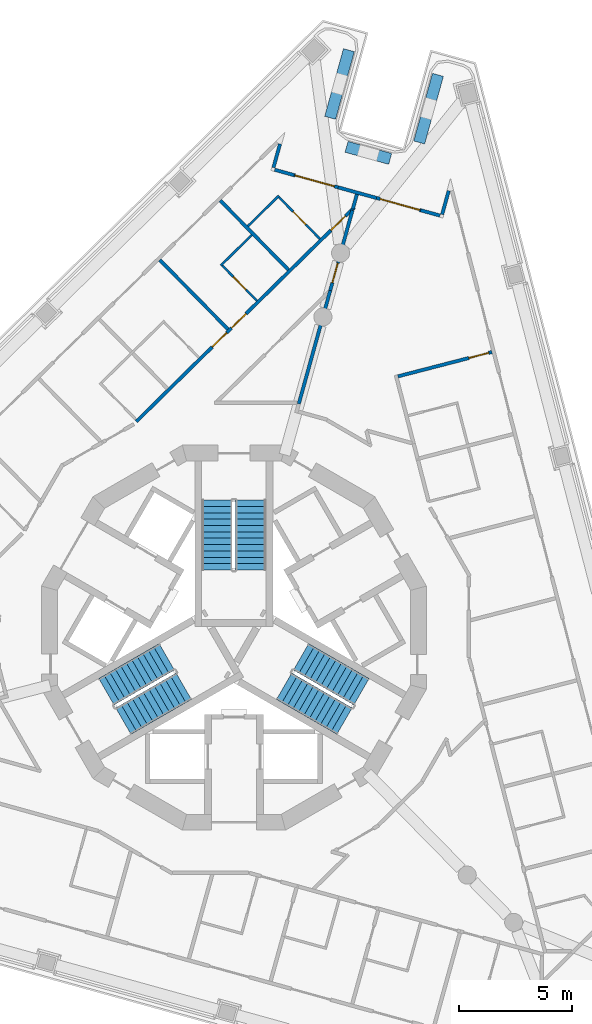
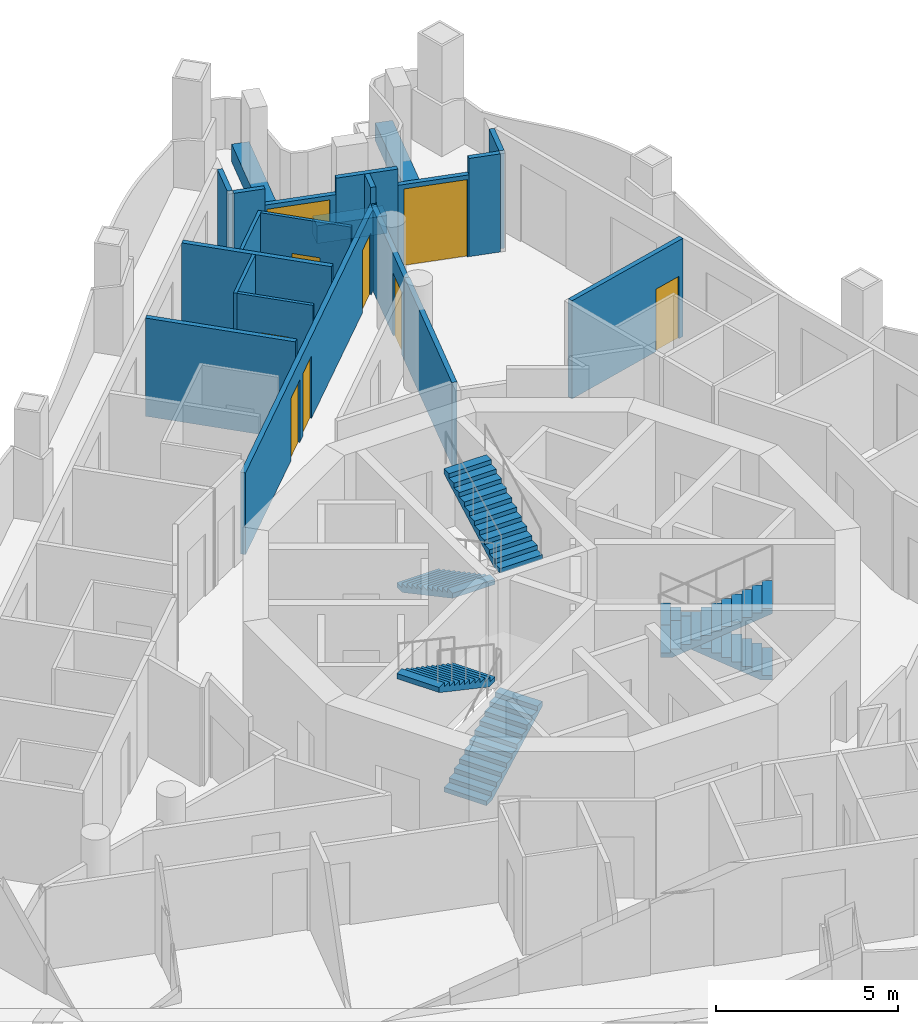
# One storey, part 8 of 14: 21 walls, 9 doors, 6 stair flights, 9 openings, 3 elements without a shape of their own.
"""IFC4 building model written with IfcOpenShell, lengths in metres."""

from ifc_helpers import new_model, si_unit, direction, frame, frame_2d, origin, place, context, subcontext, project, spatial, polyline, rectangle, outline, extrude, material, layer, layer_set, type_object, element, fill, aggregate, save


model = new_model("IFC4")

# Units and contexts
model_context = context("Model", 3, precision=1e-05, world=origin(), true_north=direction((0.0, 1.0)))
body_context = subcontext(model_context, "Body", "Model", "MODEL_VIEW")
ifc_project = project(units=[si_unit("LENGTHUNIT", "METRE"), si_unit("AREAUNIT", "SQUARE_METRE"), si_unit("VOLUMEUNIT", "CUBIC_METRE"), si_unit("PLANEANGLEUNIT", "RADIAN"), si_unit("MASSUNIT", "GRAM", prefix="KILO")], contexts=[model_context])

# Site, building, storey
site_placement = place(None, origin())
site = spatial("IfcSite", under=ifc_project, at=site_placement, CompositionType="ELEMENT")
building_placement = place(site_placement, origin())
building = spatial("IfcBuilding", under=site, at=building_placement, Name="Trine Commons Tower", CompositionType="ELEMENT")
storey_placement = place(building_placement, frame((0.0, 0.0, 238.5)))
storey = spatial("IfcBuildingStorey", under=building, at=storey_placement, Name="L62", CompositionType="ELEMENT", Elevation=238.5)

# Walls
ifc_material_1 = material(Name="Aluminium-framed insulated wall panel", Category="aluminium")
ifc_layer_1 = layer(ifc_material_1, 0.14990234375)
ifc_layer_set_1 = layer_set([ifc_layer_1], Name="Aluminium-framed insulated wall panel")
wall_type_1 = type_object("IfcWallType", Name="Glazed frame wall 150, EI 60", PredefinedType="SOLIDWALL", material=ifc_layer_set_1)
wall_1_placement = place(storey_placement, frame((82.07470703125, 84.444091796875, 0.0), z_axis=(0.0, 0.0, 1.0), x_axis=(-0.267185113528, -0.963645222636, 0.0)))
element("IfcWall", 1, at=wall_1_placement, inside=storey, type_object=wall_type_1, Name="Glazed frame wall R2", PredefinedType="SOLIDWALL", context=body_context, shape_type="SweptSolid", body=[
    extrude(outline(polyline([(0.1494140625, 0.074951171875), (0.1494140625, -0.074951171875), (1.235107421875, -0.074951171875), (1.235107421875, 0.074951171875), (0.1494140625, 0.074951171875)])), origin(), (0.0, 0.0, 1.0), 3.300048828125),
])
wall_2_placement = place(storey_placement, frame((81.69091796875, 83.19091796875, 0.0), z_axis=(0.0, 0.0, 1.0), x_axis=(0.963668166343, -0.267102349627, 0.0)))
element("IfcWall", 2, at=wall_2_placement, inside=storey, type_object=wall_type_1, Name="Glazed frame wall P1.1", PredefinedType="SOLIDWALL", context=body_context, shape_type="SweptSolid", body=[
    extrude(outline(polyline([(0.110107421875, -0.074951171875), (1.0, -0.074951171875), (1.0, 0.074951171875), (0.110107421875, 0.074951171875), (0.110107421875, -0.074951171875)])), origin(), (0.0, 0.0, 1.0), 3.300048828125),
])

# Wall, opening, door
wall_3_placement = place(storey_placement, frame((82.654541015625, 82.923828125, 0.0), z_axis=(0.0, 0.0, 1.0), x_axis=(0.963623378646, -0.267263884816, 0.0)))
wall_3 = element("IfcWall", 3, at=wall_3_placement, inside=storey, type_object=wall_type_1, Name="Glazed frame wall P1.2", PredefinedType="SOLIDWALL", context=body_context, shape_type="SweptSolid", body=[
    extrude(outline(polyline([(0.0, -0.074951171875), (2.021484375, -0.074951171875), (2.021484375, 0.074951171875), (0.0, 0.074951171875), (0.0, -0.074951171875)])), origin(), (0.0, 0.0, 1.0), 2.75),
])
opening_1_placement = place(wall_3_placement, frame((0.050048828125, 0.0, 0.0)))
opening_1 = element("IfcOpeningElement", 4, at=opening_1_placement, cuts=wall_3, Name="Opening BD-7P1-01", PredefinedType="OPENING", context=body_context, shape_type="SweptSolid", body=[
    extrude(rectangle(XDim=1.800048828125, YDim=2.60009765625, at=frame_2d((0.89990234375, 1.300048828125))), frame((0.0, 0.0849609375, 0.0), z_axis=(0.0, -1.0, 0.0), x_axis=(1.0, 0.0, 0.0)), (0.0, 0.0, 1.0), 0.169921875),
])
ifc_material_2 = material(Name="Anodised aluminium frame with double glazing", Category="aluminium")
door_type_1 = type_object("IfcDoorType", Name="Sliding loggia door 1800x2600", OperationType="SLIDING_TO_LEFT", PredefinedType="DOOR", material=ifc_material_2)
door_1_placement = place(opening_1_placement, origin())
door_1 = element("IfcDoor", 5, at=door_1_placement, inside=storey, type_object=door_type_1, Name="Loggia door P1 1", OperationType="SLIDING_TO_LEFT", OverallHeight=2.60009765625, OverallWidth=1.800048828125, PredefinedType="DOOR", context=body_context, shape_type="SweptSolid", body=[
    extrude(rectangle(XDim=1.800048828125, YDim=2.60009765625, at=frame_2d((0.89990234375, 1.300048828125))), frame((0.0, 0.02490234375, 0.0), z_axis=(0.0, -1.0, 0.0), x_axis=(1.0, 0.0, 0.0)), (0.0, 0.0, 1.0), 0.050048828125),
])
fill(opening_1, door_1)

# Wall
wall_4_placement = place(storey_placement, frame((84.6025390625, 82.383544921875, 0.0), z_axis=(0.0, 0.0, 1.0), x_axis=(0.963649164221, -0.267170897174, 0.0)))
element("IfcWall", 6, at=wall_4_placement, inside=storey, type_object=wall_type_1, Name="Glazed frame wall P1.3", PredefinedType="SOLIDWALL", context=body_context, shape_type="SweptSolid", body=[
    extrude(outline(polyline([(0.0, -0.074951171875), (1.757080078125, -0.074951171875), (1.757080078125, 0.074951171875), (0.0, 0.074951171875), (0.0, -0.074951171875)])), origin(), (0.0, 0.0, 1.0), 3.300048828125),
])

# Wall, opening, door
wall_5_placement = place(storey_placement, frame((86.2958984375, 81.9140625, 0.0), z_axis=(0.0, 0.0, 1.0), x_axis=(0.963614750545, -0.267294991596, 0.0)))
wall_5 = element("IfcWall", 7, at=wall_5_placement, inside=storey, type_object=wall_type_1, Name="Glazed frame wall P1.4", PredefinedType="SOLIDWALL", context=body_context, shape_type="SweptSolid", body=[
    extrude(outline(polyline([(0.0, -0.074951171875), (2.021484375, -0.074951171875), (2.021484375, 0.074951171875), (0.0, 0.074951171875), (0.0, -0.074951171875)])), origin(), (0.0, 0.0, 1.0), 2.75),
])
opening_2_placement = place(wall_5_placement, frame((0.17138671875, 0.0, 0.0)))
opening_2 = element("IfcOpeningElement", 8, at=opening_2_placement, cuts=wall_5, Name="Opening BD-7P1-02", PredefinedType="OPENING", context=body_context, shape_type="SweptSolid", body=[
    extrude(rectangle(XDim=1.800048828125, YDim=2.60009765625, at=frame_2d((0.89990234375, 1.300048828125))), frame((0.0, 0.0849609375, 0.0), z_axis=(0.0, -1.0, 0.0), x_axis=(1.0, 0.0, 0.0)), (0.0, 0.0, 1.0), 0.169921875),
])
door_2_placement = place(opening_2_placement, origin())
door_2 = element("IfcDoor", 9, at=door_2_placement, inside=storey, type_object=door_type_1, Name="Loggia door P1 2", OperationType="SLIDING_TO_LEFT", OverallHeight=2.60009765625, OverallWidth=1.800048828125, PredefinedType="DOOR", context=body_context, shape_type="SweptSolid", body=[
    extrude(rectangle(XDim=1.800048828125, YDim=2.60009765625, at=frame_2d((0.89990234375, 1.300048828125))), frame((0.0, 0.02490234375, 0.0), z_axis=(0.0, -1.0, 0.0), x_axis=(1.0, 0.0, 0.0)), (0.0, 0.0, 1.0), 0.050048828125),
])
fill(opening_2, door_2)

# Walls
wall_6_placement = place(storey_placement, frame((88.24365234375, 81.373779296875, 0.0), z_axis=(0.0, 0.0, 1.0), x_axis=(0.963668166343, -0.267102349627, 0.0)))
element("IfcWall", 10, at=wall_6_placement, inside=storey, type_object=wall_type_1, Name="Glazed frame wall P1.5", PredefinedType="SOLIDWALL", context=body_context, shape_type="SweptSolid", body=[
    extrude(outline(polyline([(0.889892578125, 0.074951171875), (0.0, 0.074951171875), (0.0, -0.074951171875), (0.889892578125, -0.074951171875), (0.889892578125, 0.074951171875)])), origin(), (0.0, 0.0, 1.0), 3.300048828125),
])
wall_7_placement = place(storey_placement, frame((89.164306640625, 81.082275390625, 0.0), z_axis=(0.0, 0.0, 1.0), x_axis=(0.267185113528, 0.963645222636, 0.0)))
element("IfcWall", 11, at=wall_7_placement, inside=storey, type_object=wall_type_1, Name="Glazed frame wall R4", PredefinedType="SOLIDWALL", context=body_context, shape_type="SweptSolid", body=[
    extrude(outline(polyline([(0.110107421875, 0.074951171875), (0.110107421875, -0.074951171875), (1.19580078125, -0.074951171875), (1.19580078125, 0.074951171875), (0.110107421875, 0.074951171875)])), origin(), (0.0, 0.0, 1.0), 3.300048828125),
])
ifc_material_3 = material(Name="Planter trough, precast concrete C40/50", Category="concrete")
ifc_layer_2 = layer(ifc_material_3, 0.5)
ifc_layer_set_2 = layer_set([ifc_layer_2], Name="Planter trough, precast concrete C40/50")
wall_type_2 = type_object("IfcWallType", Name="Planter trough 500x600", PredefinedType="PARAPET", material=ifc_layer_set_2)
wall_8_placement = place(storey_placement, frame((85.077392578125, 88.44189453125, 0.0), z_axis=(0.0, 0.0, 1.0), x_axis=(-0.267286412249, -0.96361713031, 0.0)))
element("IfcWall", 12, at=wall_8_placement, inside=storey, type_object=wall_type_2, Name="Planter 4", PredefinedType="PARAPET", context=body_context, shape_type="SweptSolid", body=[
    extrude(rectangle(XDim=3.10009765625, YDim=0.5, at=frame_2d((1.550048828125, 0.0))), origin(), (0.0, 0.0, 1.0), 0.60009765625),
])
wall_9_placement = place(storey_placement, frame((84.97314453125, 84.174560546875, 0.0), z_axis=(0.0, 0.0, 1.0), x_axis=(0.963636738571, -0.267215710759, 0.0)))
element("IfcWall", 13, at=wall_9_placement, inside=storey, type_object=wall_type_2, Name="Planter 5", PredefinedType="PARAPET", context=body_context, shape_type="SweptSolid", body=[
    extrude(rectangle(XDim=2.0, YDim=0.5, at=frame_2d((1.0, 0.0))), origin(), (0.0, 0.0, 1.0), 0.60009765625),
])
wall_10_placement = place(storey_placement, frame((88.1806640625, 84.364501953125, 0.0), z_axis=(0.0, 0.0, 1.0), x_axis=(0.267213283561, 0.963637411628, 0.0)))
element("IfcWall", 14, at=wall_10_placement, inside=storey, type_object=wall_type_2, Name="Planter 6", PredefinedType="PARAPET", context=body_context, shape_type="SweptSolid", body=[
    extrude(rectangle(XDim=3.10009765625, YDim=0.5, at=frame_2d((1.550048828125, 0.0))), origin(), (0.0, 0.0, 1.0), 0.60009765625),
])

# Wall, openings, doors
ifc_material_4 = material(Name="Gypsum plasterboard on steel stud", Category="steel")
ifc_layer_3 = layer(ifc_material_4, 0.14990234375)
ifc_layer_set_3 = layer_set([ifc_layer_3], Name="Gypsum plasterboard on steel stud")
wall_type_3 = type_object("IfcWallType", Name="Unit and corridor wall 150 mm, EI 60", PredefinedType="PARTITIONING", material=ifc_layer_set_3)
wall_11_placement = place(storey_placement, frame((75.687255859375, 72.0400390625, 0.0), z_axis=(0.0, 0.0, 1.0), x_axis=(0.713216712947, 0.700943592861, 0.0)))
wall_11 = element("IfcWall", 15, at=wall_11_placement, inside=storey, type_object=wall_type_3, Name="Partition 043", PredefinedType="PARTITIONING", context=body_context, shape_type="SweptSolid", body=[
    extrude(rectangle(XDim=13.487060546875, YDim=0.14990234375, at=frame_2d((6.74365234375, 0.0))), origin(), (0.0, 0.0, 1.0), 2.75),
])
opening_3_placement = place(wall_11_placement, frame((4.69677734375, 0.0, 0.0)))
opening_3 = element("IfcOpeningElement", 16, at=opening_3_placement, cuts=wall_11, Name="Opening D-7A09", PredefinedType="OPENING", context=body_context, shape_type="SweptSolid", body=[
    extrude(rectangle(XDim=0.89990234375, YDim=2.10009765625, at=frame_2d((0.449951171875, 1.050048828125))), frame((0.0, 0.0849609375, 0.0), z_axis=(0.0, -1.0, 0.0), x_axis=(1.0, 0.0, 0.0)), (0.0, 0.0, 1.0), 0.169921875),
])
opening_4_placement = place(wall_11_placement, frame((5.896728515625, 0.0, 0.0)))
opening_4 = element("IfcOpeningElement", 17, at=opening_4_placement, cuts=wall_11, Name="Opening D-7A10", PredefinedType="OPENING", context=body_context, shape_type="SweptSolid", body=[
    extrude(rectangle(XDim=0.89990234375, YDim=2.10009765625, at=frame_2d((0.449951171875, 1.050048828125))), frame((0.0, 0.0849609375, 0.0), z_axis=(0.0, -1.0, 0.0), x_axis=(1.0, 0.0, 0.0)), (0.0, 0.0, 1.0), 0.169921875),
])
opening_5_placement = place(wall_11_placement, frame((12.052734375, 0.0, 0.0)))
opening_5 = element("IfcOpeningElement", 18, at=opening_5_placement, cuts=wall_11, Name="Opening D-7A11", PredefinedType="OPENING", context=body_context, shape_type="SweptSolid", body=[
    extrude(rectangle(XDim=0.89990234375, YDim=2.10009765625, at=frame_2d((0.449951171875, 1.050048828125))), frame((0.0, 0.0849609375, 0.0), z_axis=(0.0, -1.0, 0.0), x_axis=(1.0, 0.0, 0.0)), (0.0, 0.0, 1.0), 0.169921875),
])
ifc_material_5 = material(Name="Timber fire door set", Category="wood")
door_type_2 = type_object("IfcDoorType", Name="Bedroom door 900 x 2100, FD30S", OperationType="NOTDEFINED", PredefinedType="DOOR", material=ifc_material_5)
door_3_placement = place(opening_3_placement, origin())
door_3 = element("IfcDoor", 19, at=door_3_placement, inside=storey, type_object=door_type_2, Name="Door D-7A09", OperationType="SINGLE_SWING_LEFT", OverallHeight=2.10009765625, OverallWidth=0.89990234375, PredefinedType="DOOR", context=body_context, shape_type="SweptSolid", body=[
    extrude(rectangle(XDim=0.89990234375, YDim=2.10009765625, at=frame_2d((0.449951171875, 1.050048828125))), frame((0.0, 0.02490234375, 0.0), z_axis=(0.0, -1.0, 0.0), x_axis=(1.0, 0.0, 0.0)), (0.0, 0.0, 1.0), 0.050048828125),
])
fill(opening_3, door_3)
door_4_placement = place(opening_4_placement, origin())
door_4 = element("IfcDoor", 20, at=door_4_placement, inside=storey, type_object=door_type_2, Name="Door D-7A10", OperationType="SINGLE_SWING_LEFT", OverallHeight=2.10009765625, OverallWidth=0.89990234375, PredefinedType="DOOR", context=body_context, shape_type="SweptSolid", body=[
    extrude(rectangle(XDim=0.89990234375, YDim=2.10009765625, at=frame_2d((0.449951171875, 1.050048828125))), frame((0.0, 0.02490234375, 0.0), z_axis=(0.0, -1.0, 0.0), x_axis=(1.0, 0.0, 0.0)), (0.0, 0.0, 1.0), 0.050048828125),
])
fill(opening_4, door_4)
door_5_placement = place(opening_5_placement, origin())
door_5 = element("IfcDoor", 21, at=door_5_placement, inside=storey, type_object=door_type_2, Name="Door D-7A11", OperationType="SINGLE_SWING_RIGHT", OverallHeight=2.10009765625, OverallWidth=0.89990234375, PredefinedType="DOOR", context=body_context, shape_type="SweptSolid", body=[
    extrude(rectangle(XDim=0.89990234375, YDim=2.10009765625, at=frame_2d((0.449951171875, 1.050048828125))), frame((0.0, 0.02490234375, 0.0), z_axis=(0.0, -1.0, 0.0), x_axis=(1.0, 0.0, 0.0)), (0.0, 0.0, 1.0), 0.050048828125),
])
fill(opening_5, door_5)

# Walls
for number, where, z_axis, x_axis, name in (
    (22, (76.72998046875, 79.177490234375, 0.0), (0.0, 0.0, 1.0), (0.70095501421, -0.713205487958, 0.0), "Partition 044"),
    (23, (79.39892578125, 81.801513671875, 0.0), (0.0, 0.0, 1.0), (0.70095501421, -0.713205487958, 0.0), "Partition 051"),
):
    element("IfcWall", number, at=place(storey_placement, frame(where, z_axis=z_axis, x_axis=x_axis)), inside=storey, type_object=wall_type_3, Name=name, PredefinedType="PARTITIONING", context=body_context, shape_type="SweptSolid", body=[
        extrude(rectangle(XDim=4.28466796875, YDim=0.14990234375, at=frame_2d((2.142333984375, 0.0))), origin(), (0.0, 0.0, 1.0), 3.300048828125),
    ])
wall_12_placement = place(storey_placement, frame((82.863037109375, 72.822998046875, 0.0), z_axis=(0.0, 0.0, 1.0), x_axis=(0.267297315726, 0.963614105857, 0.0)))
element("IfcWall", 24, at=wall_12_placement, inside=storey, type_object=wall_type_3, Name="Partition 064", PredefinedType="PARTITIONING", context=body_context, shape_type="SweptSolid", body=[
    extrude(rectangle(XDim=5.196044921875, YDim=0.14990234375, at=frame_2d((2.59814453125, 0.0))), origin(), (0.0, 0.0, 1.0), 2.800048828125),
])

# Wall, opening, door
wall_13_placement = place(storey_placement, frame((84.25, 77.826904296875, 0.0), z_axis=(0.0, 0.0, 1.0), x_axis=(0.267414329718, 0.963581639645, 0.0)))
wall_13 = element("IfcWall", 25, at=wall_13_placement, inside=storey, type_object=wall_type_3, Name="Partition 068", PredefinedType="PARTITIONING", context=body_context, shape_type="SweptSolid", body=[
    extrude(rectangle(XDim=3.675537109375, YDim=0.14990234375, at=frame_2d((1.837890625, 0.0))), origin(), (0.0, 0.0, 1.0), 2.75),
])
opening_6_placement = place(wall_13_placement, frame((0.357421875, 0.0, 0.0)))
opening_6 = element("IfcOpeningElement", 26, at=opening_6_placement, cuts=wall_13, Name="Opening D-7A01", PredefinedType="OPENING", context=body_context, shape_type="SweptSolid", body=[
    extrude(rectangle(XDim=0.89990234375, YDim=2.10009765625, at=frame_2d((0.449951171875, 1.050048828125))), frame((0.0, 0.0849609375, 0.0), z_axis=(0.0, -1.0, 0.0), x_axis=(1.0, 0.0, 0.0)), (0.0, 0.0, 1.0), 0.169921875),
])
door_type_3 = type_object("IfcDoorType", Name="Cluster entrance door 900 x 2100, FD30S", OperationType="NOTDEFINED", PredefinedType="DOOR", material=ifc_material_5)
door_6_placement = place(opening_6_placement, frame((0.89990234375, 0.0, 0.0), z_axis=(0.0, 0.0, 1.0), x_axis=(-1.0, 0.0, 0.0)))
door_6 = element("IfcDoor", 27, at=door_6_placement, inside=storey, type_object=door_type_3, Name="Door D-7A01", OperationType="SINGLE_SWING_RIGHT", OverallHeight=2.10009765625, OverallWidth=0.89990234375, PredefinedType="DOOR", context=body_context, shape_type="SweptSolid", body=[
    extrude(rectangle(XDim=0.89990234375, YDim=2.10009765625, at=frame_2d((0.449951171875, 1.050048828125))), frame((0.0, 0.02490234375, 0.0), z_axis=(0.0, -1.0, 0.0), x_axis=(1.0, 0.0, 0.0)), (0.0, 0.0, 1.0), 0.050048828125),
])
fill(opening_6, door_6)

# Wall
wall_14_placement = place(storey_placement, frame((85.25, 81.429931640625, 0.0), z_axis=(0.0, 0.0, 1.0), x_axis=(0.267118275652, 0.963663751945, 0.0)))
element("IfcWall", 28, at=wall_14_placement, inside=storey, type_object=wall_type_3, Name="Partition 073", PredefinedType="PARTITIONING", context=body_context, shape_type="SweptSolid", body=[
    extrude(rectangle(XDim=0.6708984375, YDim=0.14990234375, at=frame_2d((0.33544921875, 0.0))), origin(), (0.0, 0.0, 1.0), 3.300048828125),
])

# Wall, opening, door
wall_15_placement = place(storey_placement, frame((87.24462890625, 74.038818359375, 0.0), z_axis=(0.0, 0.0, 1.0), x_axis=(0.968129527106, 0.250450032434, 0.0)))
wall_15 = element("IfcWall", 29, at=wall_15_placement, inside=storey, type_object=wall_type_3, Name="Partition 081", PredefinedType="PARTITIONING", context=body_context, shape_type="SweptSolid", body=[
    extrude(rectangle(XDim=4.28515625, YDim=0.14990234375, at=frame_2d((2.142578125, 0.0))), origin(), (0.0, 0.0, 1.0), 3.300048828125),
])
opening_7_placement = place(wall_15_placement, frame((3.235107421875, 0.0, 0.0)))
opening_7 = element("IfcOpeningElement", 30, at=opening_7_placement, cuts=wall_15, Name="Opening D-7A12", PredefinedType="OPENING", context=body_context, shape_type="SweptSolid", body=[
    extrude(rectangle(XDim=0.89990234375, YDim=2.10009765625, at=frame_2d((0.449951171875, 1.050048828125))), frame((0.0, 0.0849609375, 0.0), z_axis=(0.0, -1.0, 0.0), x_axis=(1.0, 0.0, 0.0)), (0.0, 0.0, 1.0), 0.169921875),
])
door_7_placement = place(opening_7_placement, frame((0.89990234375, 0.0, 0.0), z_axis=(0.0, 0.0, 1.0), x_axis=(-1.0, 0.0, 0.0)))
door_7 = element("IfcDoor", 31, at=door_7_placement, inside=storey, type_object=door_type_2, Name="Door D-7A12", OperationType="SINGLE_SWING_LEFT", OverallHeight=2.10009765625, OverallWidth=0.89990234375, PredefinedType="DOOR", context=body_context, shape_type="SweptSolid", body=[
    extrude(rectangle(XDim=0.89990234375, YDim=2.10009765625, at=frame_2d((0.449951171875, 1.050048828125))), frame((0.0, 0.02490234375, 0.0), z_axis=(0.0, -1.0, 0.0), x_axis=(1.0, 0.0, 0.0)), (0.0, 0.0, 1.0), 0.050048828125),
])
fill(opening_7, door_7)

# Wall
ifc_layer_4 = layer(ifc_material_4, 0.10009765625)
ifc_layer_set_4 = layer_set([ifc_layer_4], Name="Gypsum plasterboard on steel stud")
wall_type_4 = type_object("IfcWallType", Name="Unit partition 100 mm, no rating", PredefinedType="PARTITIONING", material=ifc_layer_set_4)
wall_16_placement = place(storey_placement, frame((79.416259765625, 78.929931640625, 0.0), z_axis=(0.0, 0.0, 1.0), x_axis=(0.713293055377, 0.700865905257, 0.0)))
element("IfcWall", 32, at=wall_16_placement, inside=storey, type_object=wall_type_4, Name="Partition 052", PredefinedType="PARTITIONING", context=body_context, shape_type="SweptSolid", body=[
    extrude(rectangle(XDim=1.92529296875, YDim=0.10009765625, at=frame_2d((0.962646484375, 0.0))), origin(), (0.0, 0.0, 1.0), 3.300048828125),
])

# Wall, opening, door
wall_17_placement = place(storey_placement, frame((79.487060546875, 78.92919921875, 0.0), z_axis=(0.0, 0.0, 1.0), x_axis=(0.701018173636, -0.713143407901, 0.0)))
wall_17 = element("IfcWall", 33, at=wall_17_placement, inside=storey, type_object=wall_type_4, Name="Partition 053", PredefinedType="PARTITIONING", context=body_context, shape_type="SweptSolid", body=[
    extrude(rectangle(XDim=2.174560546875, YDim=0.10009765625, at=frame_2d((1.08740234375, 0.0))), origin(), (0.0, 0.0, 1.0), 3.300048828125),
])
opening_8_placement = place(wall_17_placement, frame((0.687255859375, 0.0, 0.0)))
opening_8 = element("IfcOpeningElement", 34, at=opening_8_placement, cuts=wall_17, Name="Opening D-7A33", PredefinedType="OPENING", context=body_context, shape_type="SweptSolid", body=[
    extrude(rectangle(XDim=0.800048828125, YDim=2.10009765625, at=frame_2d((0.39990234375, 1.050048828125))), frame((0.0, 0.06005859375, 0.0), z_axis=(0.0, -1.0, 0.0), x_axis=(1.0, 0.0, 0.0)), (0.0, 0.0, 1.0), 0.1201171875),
])
ifc_material_6 = material(Name="Painted timber", Category="wood")
door_type_4 = type_object("IfcDoorType", Name="Internal door 800 x 2100, NOT RATED", OperationType="NOTDEFINED", PredefinedType="DOOR", material=ifc_material_6)
door_8_placement = place(opening_8_placement, frame((0.800048828125, 0.0, 0.0), z_axis=(0.0, 0.0, 1.0), x_axis=(-1.0, 0.0, 0.0)))
door_8 = element("IfcDoor", 35, at=door_8_placement, inside=storey, type_object=door_type_4, Name="Door D-7A33", OperationType="SINGLE_SWING_RIGHT", OverallHeight=2.10009765625, OverallWidth=0.800048828125, PredefinedType="DOOR", context=body_context, shape_type="SweptSolid", body=[
    extrude(rectangle(XDim=0.800048828125, YDim=2.10009765625, at=frame_2d((0.39990234375, 1.050048828125))), frame((0.0, 0.02490234375, 0.0), z_axis=(0.0, -1.0, 0.0), x_axis=(1.0, 0.0, 0.0)), (0.0, 0.0, 1.0), 0.050048828125),
])
fill(opening_8, door_8)

# Wall
wall_18_placement = place(storey_placement, frame((80.616455078125, 80.669677734375, 0.0), z_axis=(0.0, 0.0, 1.0), x_axis=(0.713293055377, 0.700865905257, 0.0)))
element("IfcWall", 36, at=wall_18_placement, inside=storey, type_object=wall_type_4, Name="Partition 055", PredefinedType="PARTITIONING", context=body_context, shape_type="SweptSolid", body=[
    extrude(rectangle(XDim=1.92529296875, YDim=0.10009765625, at=frame_2d((0.962646484375, 0.0))), origin(), (0.0, 0.0, 1.0), 3.300048828125),
])

# Wall, opening, door
wall_19_placement = place(storey_placement, frame((81.989013671875, 81.9482421875, 0.0), z_axis=(0.0, 0.0, 1.0), x_axis=(0.700820910795, -0.713337263146, 0.0)))
wall_19 = element("IfcWall", 37, at=wall_19_placement, inside=storey, type_object=wall_type_4, Name="Partition 058", PredefinedType="PARTITIONING", context=body_context, shape_type="SweptSolid", body=[
    extrude(rectangle(XDim=2.57470703125, YDim=0.10009765625, at=frame_2d((1.287353515625, 0.0))), origin(), (0.0, 0.0, 1.0), 3.300048828125),
])
opening_9_placement = place(wall_19_placement, frame((0.887451171875, 0.0, 0.0)))
opening_9 = element("IfcOpeningElement", 38, at=opening_9_placement, cuts=wall_19, Name="Opening D-7A34", PredefinedType="OPENING", context=body_context, shape_type="SweptSolid", body=[
    extrude(rectangle(XDim=0.800048828125, YDim=2.10009765625, at=frame_2d((0.39990234375, 1.050048828125))), frame((0.0, 0.06005859375, 0.0), z_axis=(0.0, -1.0, 0.0), x_axis=(1.0, 0.0, 0.0)), (0.0, 0.0, 1.0), 0.1201171875),
])
door_9_placement = place(opening_9_placement, origin())
door_9 = element("IfcDoor", 39, at=door_9_placement, inside=storey, type_object=door_type_4, Name="Door D-7A34", OperationType="SINGLE_SWING_LEFT", OverallHeight=2.10009765625, OverallWidth=0.800048828125, PredefinedType="DOOR", context=body_context, shape_type="SweptSolid", body=[
    extrude(rectangle(XDim=0.800048828125, YDim=2.10009765625, at=frame_2d((0.39990234375, 1.050048828125))), frame((0.0, 0.02490234375, 0.0), z_axis=(0.0, -1.0, 0.0), x_axis=(1.0, 0.0, 0.0)), (0.0, 0.0, 1.0), 0.050048828125),
])
fill(opening_9, door_9)

# Stair, stair flights
ifc_material_7 = material(Name="Concrete C50/60", Category="concrete")
stair_type = type_object("IfcStairType", Name="Exit stair, dog-leg, 24 risers of 150 mm", PredefinedType="HALF_TURN_STAIR", material=ifc_material_7)
stair_1_placement = place(storey_placement, origin())
stair_1 = element("IfcStair", 40, at=stair_1_placement, inside=storey, type_object=stair_type, Name="L62 Exit stair ST1C", PredefinedType="HALF_TURN_STAIR")
stair_flight_type = type_object("IfcStairFlightType", Name="Stair flight, 1350 wide, 12 risers of 150 mm", PredefinedType="STRAIGHT", material=ifc_material_7)
stair_flight_1_placement = place(storey_placement, frame((79.25, 68.570556640625, 0.0), z_axis=(0.0, 0.0, 1.0), x_axis=(0.0, -1.0, 0.0)))
stair_flight_1 = element("IfcStairFlight", 41, at=stair_flight_1_placement, type_object=stair_flight_type, Name="ST1C flight 1", NumberOfRisers=12, NumberOfTreads=11, PredefinedType="STRAIGHT", RiserHeight=0.15, TreadLength=0.28, context=body_context, shape_type="SweptSolid", body=[
    extrude(outline(polyline([(0.0, 0.0), (0.0, 0.14990234375), (0.280029296875, 0.14990234375), (0.280029296875, 0.300048828125), (0.56005859375, 0.300048828125), (0.56005859375, 0.449951171875), (0.840087890625, 0.449951171875), (0.840087890625, 0.60009765625), (1.1201171875, 0.60009765625), (1.1201171875, 0.75), (1.39990234375, 0.75), (1.39990234375, 0.89990234375), (1.679931640625, 0.89990234375), (1.679931640625, 1.050048828125), (1.9599609375, 1.050048828125), (1.9599609375, 1.199951171875), (2.239990234375, 1.199951171875), (2.239990234375, 1.35009765625), (2.52001953125, 1.35009765625), (2.52001953125, 1.5), (2.800048828125, 1.5), (2.800048828125, 1.64990234375), (3.080078125, 1.64990234375), (3.080078125, 1.800048828125), (3.080078125, 1.47998046875), (0.3173828125, 0.0), (0.0, 0.0)])), frame((0.0, 0.675048828125, 0.0), z_axis=(0.0, -1.0, 0.0), x_axis=(1.0, 0.0, 0.0)), (0.0, 0.0, 1.0), 1.35009765625),
])
stair_flight_2_placement = place(storey_placement, frame((80.75, 65.490478515625, 1.800048828125), z_axis=(0.0, 0.0, 1.0), x_axis=(0.0, 1.0, 0.0)))
stair_flight_2 = element("IfcStairFlight", 42, at=stair_flight_2_placement, type_object=stair_flight_type, Name="ST1C flight 2", NumberOfRisers=12, NumberOfTreads=11, PredefinedType="STRAIGHT", RiserHeight=0.15, TreadLength=0.28, context=body_context, shape_type="SweptSolid", body=[
    extrude(outline(polyline([(0.0, 0.0), (0.0, 0.14990234375), (0.280029296875, 0.14990234375), (0.280029296875, 0.300048828125), (0.56005859375, 0.300048828125), (0.56005859375, 0.449951171875), (0.840087890625, 0.449951171875), (0.840087890625, 0.60009765625), (1.1201171875, 0.60009765625), (1.1201171875, 0.75), (1.39990234375, 0.75), (1.39990234375, 0.89990234375), (1.679931640625, 0.89990234375), (1.679931640625, 1.050048828125), (1.9599609375, 1.050048828125), (1.9599609375, 1.199951171875), (2.239990234375, 1.199951171875), (2.239990234375, 1.35009765625), (2.52001953125, 1.35009765625), (2.52001953125, 1.5), (2.800048828125, 1.5), (2.800048828125, 1.64990234375), (3.080078125, 1.64990234375), (3.080078125, 1.800048828125), (3.080078125, 1.47998046875), (0.3173828125, 0.0), (0.0, 0.0)])), frame((0.0, 0.675048828125, 0.0), z_axis=(0.0, -1.0, 0.0), x_axis=(1.0, 0.0, 0.0)), (0.0, 0.0, 1.0), 1.35009765625),
])
aggregate(stair_1, [stair_flight_1, stair_flight_2])

stair_2_placement = place(storey_placement, origin())
stair_2 = element("IfcStair", 43, at=stair_2_placement, inside=storey, type_object=stair_type, Name="L62 Exit stair ST2C", PredefinedType="HALF_TURN_STAIR")
stair_flight_3_placement = place(storey_placement, frame((75.11767578125, 58.815185546875, 0.0), z_axis=(0.0, 0.0, 1.0), x_axis=(0.866025403784, 0.5, 0.0)))
stair_flight_3 = element("IfcStairFlight", 44, at=stair_flight_3_placement, type_object=stair_flight_type, Name="ST2C flight 1", NumberOfRisers=12, NumberOfTreads=11, PredefinedType="STRAIGHT", RiserHeight=0.15, TreadLength=0.28, context=body_context, shape_type="SweptSolid", body=[
    extrude(outline(polyline([(0.0, 0.0), (0.0, 0.14990234375), (0.280029296875, 0.14990234375), (0.280029296875, 0.300048828125), (0.56005859375, 0.300048828125), (0.56005859375, 0.449951171875), (0.840087890625, 0.449951171875), (0.840087890625, 0.60009765625), (1.1201171875, 0.60009765625), (1.1201171875, 0.75), (1.39990234375, 0.75), (1.39990234375, 0.89990234375), (1.679931640625, 0.89990234375), (1.679931640625, 1.050048828125), (1.9599609375, 1.050048828125), (1.9599609375, 1.199951171875), (2.239990234375, 1.199951171875), (2.239990234375, 1.35009765625), (2.52001953125, 1.35009765625), (2.52001953125, 1.5), (2.800048828125, 1.5), (2.800048828125, 1.64990234375), (3.080078125, 1.64990234375), (3.080078125, 1.800048828125), (3.080078125, 1.47998046875), (0.3173828125, 0.0), (0.0, 0.0)])), frame((0.0, 0.675048828125, 0.0), z_axis=(0.0, -1.0, 0.0), x_axis=(1.0, 0.0, 0.0)), (0.0, 0.0, 1.0), 1.35009765625),
])
stair_flight_4_placement = place(storey_placement, frame((77.03515625, 61.654296875, 1.800048828125), z_axis=(0.0, 0.0, 1.0), x_axis=(-0.866025403784, -0.5, 0.0)))
stair_flight_4 = element("IfcStairFlight", 45, at=stair_flight_4_placement, type_object=stair_flight_type, Name="ST2C flight 2", NumberOfRisers=12, NumberOfTreads=11, PredefinedType="STRAIGHT", RiserHeight=0.15, TreadLength=0.28, context=body_context, shape_type="SweptSolid", body=[
    extrude(outline(polyline([(0.0, 0.0), (0.0, 0.14990234375), (0.280029296875, 0.14990234375), (0.280029296875, 0.300048828125), (0.56005859375, 0.300048828125), (0.56005859375, 0.449951171875), (0.840087890625, 0.449951171875), (0.840087890625, 0.60009765625), (1.1201171875, 0.60009765625), (1.1201171875, 0.75), (1.39990234375, 0.75), (1.39990234375, 0.89990234375), (1.679931640625, 0.89990234375), (1.679931640625, 1.050048828125), (1.9599609375, 1.050048828125), (1.9599609375, 1.199951171875), (2.239990234375, 1.199951171875), (2.239990234375, 1.35009765625), (2.52001953125, 1.35009765625), (2.52001953125, 1.5), (2.800048828125, 1.5), (2.800048828125, 1.64990234375), (3.080078125, 1.64990234375), (3.080078125, 1.800048828125), (3.080078125, 1.47998046875), (0.3173828125, 0.0), (0.0, 0.0)])), frame((0.0, 0.675048828125, 0.0), z_axis=(0.0, -1.0, 0.0), x_axis=(1.0, 0.0, 0.0)), (0.0, 0.0, 1.0), 1.35009765625),
])
aggregate(stair_2, [stair_flight_3, stair_flight_4])

stair_3_placement = place(storey_placement, origin())
stair_3 = element("IfcStair", 46, at=stair_3_placement, inside=storey, type_object=stair_type, Name="L62 Exit stair ST3C", PredefinedType="HALF_TURN_STAIR")
stair_flight_5_placement = place(storey_placement, frame((85.63232421875, 60.1142578125, 0.0), z_axis=(0.0, 0.0, 1.0), x_axis=(-0.866025403784, 0.5, 0.0)))
stair_flight_5 = element("IfcStairFlight", 47, at=stair_flight_5_placement, type_object=stair_flight_type, Name="ST3C flight 1", NumberOfRisers=12, NumberOfTreads=11, PredefinedType="STRAIGHT", RiserHeight=0.15, TreadLength=0.28, context=body_context, shape_type="SweptSolid", body=[
    extrude(outline(polyline([(0.0, 0.0), (0.0, 0.14990234375), (0.280029296875, 0.14990234375), (0.280029296875, 0.300048828125), (0.56005859375, 0.300048828125), (0.56005859375, 0.449951171875), (0.840087890625, 0.449951171875), (0.840087890625, 0.60009765625), (1.1201171875, 0.60009765625), (1.1201171875, 0.75), (1.39990234375, 0.75), (1.39990234375, 0.89990234375), (1.679931640625, 0.89990234375), (1.679931640625, 1.050048828125), (1.9599609375, 1.050048828125), (1.9599609375, 1.199951171875), (2.239990234375, 1.199951171875), (2.239990234375, 1.35009765625), (2.52001953125, 1.35009765625), (2.52001953125, 1.5), (2.800048828125, 1.5), (2.800048828125, 1.64990234375), (3.080078125, 1.64990234375), (3.080078125, 1.800048828125), (3.080078125, 1.47998046875), (0.3173828125, 0.0), (0.0, 0.0)])), frame((0.0, 0.675048828125, 0.0), z_axis=(0.0, -1.0, 0.0), x_axis=(1.0, 0.0, 0.0)), (0.0, 0.0, 1.0), 1.35009765625),
])
stair_flight_6_placement = place(storey_placement, frame((82.21484375, 60.355224609375, 1.800048828125), z_axis=(0.0, 0.0, 1.0), x_axis=(0.866025403784, -0.5, 0.0)))
stair_flight_6 = element("IfcStairFlight", 48, at=stair_flight_6_placement, type_object=stair_flight_type, Name="ST3C flight 2", NumberOfRisers=12, NumberOfTreads=11, PredefinedType="STRAIGHT", RiserHeight=0.15, TreadLength=0.28, context=body_context, shape_type="SweptSolid", body=[
    extrude(outline(polyline([(0.0, 0.0), (0.0, 0.14990234375), (0.280029296875, 0.14990234375), (0.280029296875, 0.300048828125), (0.56005859375, 0.300048828125), (0.56005859375, 0.449951171875), (0.840087890625, 0.449951171875), (0.840087890625, 0.60009765625), (1.1201171875, 0.60009765625), (1.1201171875, 0.75), (1.39990234375, 0.75), (1.39990234375, 0.89990234375), (1.679931640625, 0.89990234375), (1.679931640625, 1.050048828125), (1.9599609375, 1.050048828125), (1.9599609375, 1.199951171875), (2.239990234375, 1.199951171875), (2.239990234375, 1.35009765625), (2.52001953125, 1.35009765625), (2.52001953125, 1.5), (2.800048828125, 1.5), (2.800048828125, 1.64990234375), (3.080078125, 1.64990234375), (3.080078125, 1.800048828125), (3.080078125, 1.47998046875), (0.3173828125, 0.0), (0.0, 0.0)])), frame((0.0, 0.675048828125, 0.0), z_axis=(0.0, -1.0, 0.0), x_axis=(1.0, 0.0, 0.0)), (0.0, 0.0, 1.0), 1.35009765625),
])
aggregate(stair_3, [stair_flight_5, stair_flight_6])

save(model, "model.ifc")
